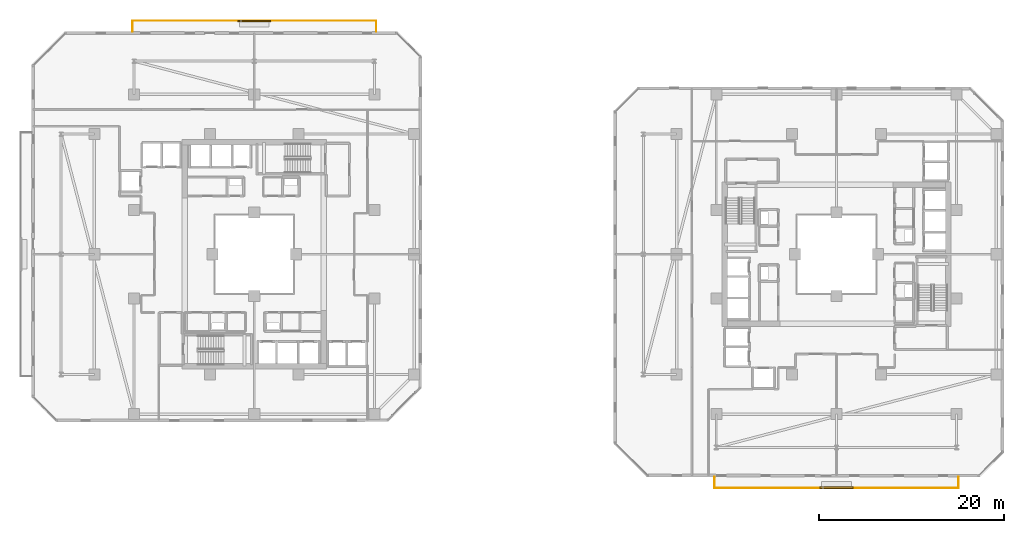
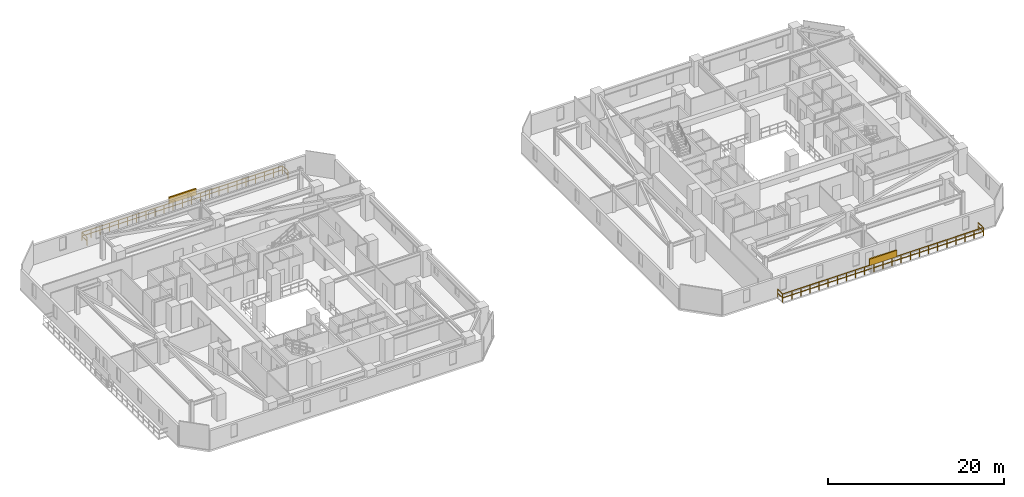
# One storey, part 32 of 33: 2 railings, 2 shading devices.
"""IFC4 building model written with IfcOpenShell, lengths in metres."""

from ifc_helpers import new_model, si_unit, direction, frame, origin, origin_2d, place, context, subcontext, project, spatial, rectangle, extrude, material, type_object, element, save


model = new_model("IFC4")

# Units and contexts
model_context = context("Model", 3, precision=1e-05, world=origin(), true_north=direction((0.0, 1.0)))
body_context = subcontext(model_context, "Body", "Model", "MODEL_VIEW")
ifc_project = project(units=[si_unit("LENGTHUNIT", "METRE"), si_unit("AREAUNIT", "SQUARE_METRE"), si_unit("VOLUMEUNIT", "CUBIC_METRE"), si_unit("PLANEANGLEUNIT", "RADIAN"), si_unit("MASSUNIT", "GRAM", prefix="KILO")], contexts=[model_context])

# Site, building, storey
site_placement = place(None, origin())
site = spatial("IfcSite", under=ifc_project, at=site_placement, CompositionType="ELEMENT")
building_placement = place(site_placement, origin())
building = spatial("IfcBuilding", under=site, at=building_placement, Name="Thornwick Lancets Civic Towers", CompositionType="ELEMENT")
storey_placement = place(building_placement, frame((0.0, 0.0, 105.300048828125)))
storey = spatial("IfcBuildingStorey", under=building, at=storey_placement, Name="L27", CompositionType="ELEMENT", Elevation=105.300048828125)

# Railings
ifc_material_1 = material(Name="Terracotta-capped laminated glass balustrade S355", Category="masonry")
railing_type = type_object("IfcRailingType", Name="RAIL_TERR_GUARD", PredefinedType="GUARDRAIL", material=ifc_material_1)
railing_1_placement = place(storey_placement, frame((12.300048828125, 51.10009765625, 0.0)))
element("IfcRailing", 1, at=railing_1_placement, inside=storey, type_object=railing_type, Name="L27 Tower A Balcony Guard N", PredefinedType="GUARDRAIL", context=body_context, shape_type="SweptSolid", body=[
    extrude(rectangle(XDim=0.048095703125, YDim=0.048095703125, at=origin_2d()), frame((0.0, 0.0, 1.1259765625), z_axis=(0.0, 1.0, 0.0), x_axis=(-1.0, 0.0, 0.0)), (0.0, 0.0, 1.0), 1.138671875),
    extrude(rectangle(XDim=0.0419921875, YDim=0.0419921875, at=origin_2d()), frame((0.0, 0.03759765625, 0.597900390625), z_axis=(0.0, 1.0, 0.0), x_axis=(-1.0, 0.0, 0.0)), (0.0, 0.0, 1.0), 1.094970703125),
    extrude(rectangle(XDim=0.048095703125, YDim=0.048095703125, at=origin_2d()), frame((0.03125, 1.169921875, 1.1259765625), z_axis=(1.0, 0.0, 0.0), x_axis=(0.0, 1.0, 0.0)), (0.0, 0.0, 1.0), 26.33740234375),
    extrude(rectangle(XDim=0.0419921875, YDim=0.0419921875, at=origin_2d()), frame((0.03759765625, 1.169921875, 0.597900390625), z_axis=(1.0, 0.0, 0.0), x_axis=(0.0, 1.0, 0.0)), (0.0, 0.0, 1.0), 1.125),
    extrude(rectangle(XDim=0.0419921875, YDim=0.0419921875, at=origin_2d()), frame((1.237548828125, 1.169921875, 0.597900390625), z_axis=(1.0, 0.0, 0.0), x_axis=(0.0, 1.0, 0.0)), (0.0, 0.0, 1.0), 1.125),
    extrude(rectangle(XDim=0.0419921875, YDim=0.0419921875, at=origin_2d()), frame((2.4375, 1.169921875, 0.597900390625), z_axis=(1.0, 0.0, 0.0), x_axis=(0.0, 1.0, 0.0)), (0.0, 0.0, 1.0), 1.125),
    extrude(rectangle(XDim=0.0419921875, YDim=0.0419921875, at=origin_2d()), frame((3.637451171875, 1.169921875, 0.597900390625), z_axis=(1.0, 0.0, 0.0), x_axis=(0.0, 1.0, 0.0)), (0.0, 0.0, 1.0), 1.125),
    extrude(rectangle(XDim=0.0419921875, YDim=0.0419921875, at=origin_2d()), frame((4.83740234375, 1.169921875, 0.597900390625), z_axis=(1.0, 0.0, 0.0), x_axis=(0.0, 1.0, 0.0)), (0.0, 0.0, 1.0), 1.125),
    extrude(rectangle(XDim=0.0419921875, YDim=0.0419921875, at=origin_2d()), frame((6.037353515625, 1.169921875, 0.597900390625), z_axis=(1.0, 0.0, 0.0), x_axis=(0.0, 1.0, 0.0)), (0.0, 0.0, 1.0), 1.125),
    extrude(rectangle(XDim=0.0419921875, YDim=0.0419921875, at=origin_2d()), frame((7.237548828125, 1.169921875, 0.597900390625), z_axis=(1.0, 0.0, 0.0), x_axis=(0.0, 1.0, 0.0)), (0.0, 0.0, 1.0), 1.125),
    extrude(rectangle(XDim=0.0419921875, YDim=0.0419921875, at=origin_2d()), frame((8.4375, 1.169921875, 0.597900390625), z_axis=(1.0, 0.0, 0.0), x_axis=(0.0, 1.0, 0.0)), (0.0, 0.0, 1.0), 1.125),
    extrude(rectangle(XDim=0.0419921875, YDim=0.0419921875, at=origin_2d()), frame((9.637451171875, 1.169921875, 0.597900390625), z_axis=(1.0, 0.0, 0.0), x_axis=(0.0, 1.0, 0.0)), (0.0, 0.0, 1.0), 1.125),
    extrude(rectangle(XDim=0.0419921875, YDim=0.0419921875, at=origin_2d()), frame((10.83740234375, 1.169921875, 0.597900390625), z_axis=(1.0, 0.0, 0.0), x_axis=(0.0, 1.0, 0.0)), (0.0, 0.0, 1.0), 1.125),
    extrude(rectangle(XDim=0.0419921875, YDim=0.0419921875, at=origin_2d()), frame((12.037353515625, 1.169921875, 0.597900390625), z_axis=(1.0, 0.0, 0.0), x_axis=(0.0, 1.0, 0.0)), (0.0, 0.0, 1.0), 1.125),
    extrude(rectangle(XDim=0.0419921875, YDim=0.0419921875, at=origin_2d()), frame((13.237548828125, 1.169921875, 0.597900390625), z_axis=(1.0, 0.0, 0.0), x_axis=(0.0, 1.0, 0.0)), (0.0, 0.0, 1.0), 1.125),
    extrude(rectangle(XDim=0.0419921875, YDim=0.0419921875, at=origin_2d()), frame((14.4375, 1.169921875, 0.597900390625), z_axis=(1.0, 0.0, 0.0), x_axis=(0.0, 1.0, 0.0)), (0.0, 0.0, 1.0), 1.125),
    extrude(rectangle(XDim=0.0419921875, YDim=0.0419921875, at=origin_2d()), frame((15.637451171875, 1.169921875, 0.597900390625), z_axis=(1.0, 0.0, 0.0), x_axis=(0.0, 1.0, 0.0)), (0.0, 0.0, 1.0), 1.125),
    extrude(rectangle(XDim=0.0419921875, YDim=0.0419921875, at=origin_2d()), frame((16.83740234375, 1.169921875, 0.597900390625), z_axis=(1.0, 0.0, 0.0), x_axis=(0.0, 1.0, 0.0)), (0.0, 0.0, 1.0), 1.125),
    extrude(rectangle(XDim=0.0419921875, YDim=0.0419921875, at=origin_2d()), frame((18.037353515625, 1.169921875, 0.597900390625), z_axis=(1.0, 0.0, 0.0), x_axis=(0.0, 1.0, 0.0)), (0.0, 0.0, 1.0), 1.125),
    extrude(rectangle(XDim=0.0419921875, YDim=0.0419921875, at=origin_2d()), frame((19.2373046875, 1.169921875, 0.597900390625), z_axis=(1.0, 0.0, 0.0), x_axis=(0.0, 1.0, 0.0)), (0.0, 0.0, 1.0), 1.125),
    extrude(rectangle(XDim=0.0419921875, YDim=0.0419921875, at=origin_2d()), frame((20.4375, 1.169921875, 0.597900390625), z_axis=(1.0, 0.0, 0.0), x_axis=(0.0, 1.0, 0.0)), (0.0, 0.0, 1.0), 1.125),
    extrude(rectangle(XDim=0.0419921875, YDim=0.0419921875, at=origin_2d()), frame((21.637451171875, 1.169921875, 0.597900390625), z_axis=(1.0, 0.0, 0.0), x_axis=(0.0, 1.0, 0.0)), (0.0, 0.0, 1.0), 1.125),
    extrude(rectangle(XDim=0.0419921875, YDim=0.0419921875, at=origin_2d()), frame((22.83740234375, 1.169921875, 0.597900390625), z_axis=(1.0, 0.0, 0.0), x_axis=(0.0, 1.0, 0.0)), (0.0, 0.0, 1.0), 1.125),
    extrude(rectangle(XDim=0.0419921875, YDim=0.0419921875, at=origin_2d()), frame((24.037353515625, 1.169921875, 0.597900390625), z_axis=(1.0, 0.0, 0.0), x_axis=(0.0, 1.0, 0.0)), (0.0, 0.0, 1.0), 1.125),
    extrude(rectangle(XDim=0.0419921875, YDim=0.0419921875, at=origin_2d()), frame((25.2373046875, 1.169921875, 0.597900390625), z_axis=(1.0, 0.0, 0.0), x_axis=(0.0, 1.0, 0.0)), (0.0, 0.0, 1.0), 1.125),
    extrude(rectangle(XDim=0.048095703125, YDim=0.048095703125, at=origin_2d()), frame((26.39990234375, 1.138671875, 1.1259765625), z_axis=(0.0, -1.0, 0.0), x_axis=(1.0, 0.0, 0.0)), (0.0, 0.0, 1.0), 1.138671875),
    extrude(rectangle(XDim=0.0419921875, YDim=0.0419921875, at=origin_2d()), frame((26.39990234375, 1.13232421875, 0.597900390625), z_axis=(0.0, -1.0, 0.0), x_axis=(1.0, 0.0, 0.0)), (0.0, 0.0, 1.0), 1.094970703125),
    extrude(rectangle(XDim=0.0419921875, YDim=0.0419921875, at=origin_2d()), origin(), (0.0, 0.0, 1.0), 1.095703125),
    extrude(rectangle(XDim=0.0419921875, YDim=0.0419921875, at=origin_2d()), frame((0.0, 1.169921875, 0.0)), (0.0, 0.0, 1.0), 1.095703125),
    extrude(rectangle(XDim=0.0419921875, YDim=0.0419921875, at=origin_2d()), frame((1.199951171875, 1.169921875, 0.0)), (0.0, 0.0, 1.0), 1.095703125),
    extrude(rectangle(XDim=0.0419921875, YDim=0.0419921875, at=origin_2d()), frame((2.39990234375, 1.169921875, 0.0)), (0.0, 0.0, 1.0), 1.095703125),
    extrude(rectangle(XDim=0.0419921875, YDim=0.0419921875, at=origin_2d()), frame((3.60009765625, 1.169921875, 0.0)), (0.0, 0.0, 1.0), 1.095703125),
    extrude(rectangle(XDim=0.0419921875, YDim=0.0419921875, at=origin_2d()), frame((4.800048828125, 1.169921875, 0.0)), (0.0, 0.0, 1.0), 1.095703125),
    extrude(rectangle(XDim=0.0419921875, YDim=0.0419921875, at=origin_2d()), frame((6.0, 1.169921875, 0.0)), (0.0, 0.0, 1.0), 1.095703125),
    extrude(rectangle(XDim=0.0419921875, YDim=0.0419921875, at=origin_2d()), frame((7.199951171875, 1.169921875, 0.0)), (0.0, 0.0, 1.0), 1.095703125),
    extrude(rectangle(XDim=0.0419921875, YDim=0.0419921875, at=origin_2d()), frame((8.39990234375, 1.169921875, 0.0)), (0.0, 0.0, 1.0), 1.095703125),
    extrude(rectangle(XDim=0.0419921875, YDim=0.0419921875, at=origin_2d()), frame((9.599853515625, 1.169921875, 0.0)), (0.0, 0.0, 1.0), 1.095703125),
    extrude(rectangle(XDim=0.0419921875, YDim=0.0419921875, at=origin_2d()), frame((10.800048828125, 1.169921875, 0.0)), (0.0, 0.0, 1.0), 1.095703125),
    extrude(rectangle(XDim=0.0419921875, YDim=0.0419921875, at=origin_2d()), frame((12.0, 1.169921875, 0.0)), (0.0, 0.0, 1.0), 1.095703125),
    extrude(rectangle(XDim=0.0419921875, YDim=0.0419921875, at=origin_2d()), frame((13.199951171875, 1.169921875, 0.0)), (0.0, 0.0, 1.0), 1.095703125),
    extrude(rectangle(XDim=0.0419921875, YDim=0.0419921875, at=origin_2d()), frame((14.39990234375, 1.169921875, 0.0)), (0.0, 0.0, 1.0), 1.095703125),
    extrude(rectangle(XDim=0.0419921875, YDim=0.0419921875, at=origin_2d()), frame((15.599853515625, 1.169921875, 0.0)), (0.0, 0.0, 1.0), 1.095703125),
    extrude(rectangle(XDim=0.0419921875, YDim=0.0419921875, at=origin_2d()), frame((16.800048828125, 1.169921875, 0.0)), (0.0, 0.0, 1.0), 1.095703125),
    extrude(rectangle(XDim=0.0419921875, YDim=0.0419921875, at=origin_2d()), frame((18.0, 1.169921875, 0.0)), (0.0, 0.0, 1.0), 1.095703125),
    extrude(rectangle(XDim=0.0419921875, YDim=0.0419921875, at=origin_2d()), frame((19.199951171875, 1.169921875, 0.0)), (0.0, 0.0, 1.0), 1.095703125),
    extrude(rectangle(XDim=0.0419921875, YDim=0.0419921875, at=origin_2d()), frame((20.39990234375, 1.169921875, 0.0)), (0.0, 0.0, 1.0), 1.095703125),
    extrude(rectangle(XDim=0.0419921875, YDim=0.0419921875, at=origin_2d()), frame((21.599853515625, 1.169921875, 0.0)), (0.0, 0.0, 1.0), 1.095703125),
    extrude(rectangle(XDim=0.0419921875, YDim=0.0419921875, at=origin_2d()), frame((22.7998046875, 1.169921875, 0.0)), (0.0, 0.0, 1.0), 1.095703125),
    extrude(rectangle(XDim=0.0419921875, YDim=0.0419921875, at=origin_2d()), frame((24.0, 1.169921875, 0.0)), (0.0, 0.0, 1.0), 1.095703125),
    extrude(rectangle(XDim=0.0419921875, YDim=0.0419921875, at=origin_2d()), frame((25.199951171875, 1.169921875, 0.0)), (0.0, 0.0, 1.0), 1.095703125),
    extrude(rectangle(XDim=0.0419921875, YDim=0.0419921875, at=origin_2d()), frame((26.39990234375, 1.169921875, 0.0)), (0.0, 0.0, 1.0), 1.095703125),
    extrude(rectangle(XDim=0.0419921875, YDim=0.0419921875, at=origin_2d()), frame((26.39990234375, 0.0, 0.0)), (0.0, 0.0, 1.0), 1.095703125),
])
railing_2_placement = place(storey_placement, frame((75.300048828125, 2.89990234375, 0.0)))
element("IfcRailing", 2, at=railing_2_placement, inside=storey, type_object=railing_type, Name="L27 Tower B Balcony Guard S", PredefinedType="GUARDRAIL", context=body_context, shape_type="SweptSolid", body=[
    extrude(rectangle(XDim=0.048095703125, YDim=0.048095703125, at=origin_2d()), frame((0.0, 0.0, 1.1259765625), z_axis=(0.0, -1.0, 0.0), x_axis=(1.0, 0.0, 0.0)), (0.0, 0.0, 1.0), 1.138671875),
    extrude(rectangle(XDim=0.0419921875, YDim=0.0419921875, at=origin_2d()), frame((0.0, -0.03759765625, 0.597900390625), z_axis=(0.0, -1.0, 0.0), x_axis=(1.0, 0.0, 0.0)), (0.0, 0.0, 1.0), 1.094970703125),
    extrude(rectangle(XDim=0.048095703125, YDim=0.048095703125, at=origin_2d()), frame((0.03125, -1.169921875, 1.1259765625), z_axis=(1.0, 0.0, 0.0), x_axis=(0.0, 1.0, 0.0)), (0.0, 0.0, 1.0), 26.33740234375),
    extrude(rectangle(XDim=0.0419921875, YDim=0.0419921875, at=origin_2d()), frame((0.03759765625, -1.169921875, 0.597900390625), z_axis=(1.0, 0.0, 0.0), x_axis=(0.0, 1.0, 0.0)), (0.0, 0.0, 1.0), 1.125),
    extrude(rectangle(XDim=0.0419921875, YDim=0.0419921875, at=origin_2d()), frame((1.237548828125, -1.169921875, 0.597900390625), z_axis=(1.0, 0.0, 0.0), x_axis=(0.0, 1.0, 0.0)), (0.0, 0.0, 1.0), 1.125),
    extrude(rectangle(XDim=0.0419921875, YDim=0.0419921875, at=origin_2d()), frame((2.4375, -1.169921875, 0.597900390625), z_axis=(1.0, 0.0, 0.0), x_axis=(0.0, 1.0, 0.0)), (0.0, 0.0, 1.0), 1.125),
    extrude(rectangle(XDim=0.0419921875, YDim=0.0419921875, at=origin_2d()), frame((3.637451171875, -1.169921875, 0.597900390625), z_axis=(1.0, 0.0, 0.0), x_axis=(0.0, 1.0, 0.0)), (0.0, 0.0, 1.0), 1.125),
    extrude(rectangle(XDim=0.0419921875, YDim=0.0419921875, at=origin_2d()), frame((4.83740234375, -1.169921875, 0.597900390625), z_axis=(1.0, 0.0, 0.0), x_axis=(0.0, 1.0, 0.0)), (0.0, 0.0, 1.0), 1.125),
    extrude(rectangle(XDim=0.0419921875, YDim=0.0419921875, at=origin_2d()), frame((6.037353515625, -1.169921875, 0.597900390625), z_axis=(1.0, 0.0, 0.0), x_axis=(0.0, 1.0, 0.0)), (0.0, 0.0, 1.0), 1.125),
    extrude(rectangle(XDim=0.0419921875, YDim=0.0419921875, at=origin_2d()), frame((7.237548828125, -1.169921875, 0.597900390625), z_axis=(1.0, 0.0, 0.0), x_axis=(0.0, 1.0, 0.0)), (0.0, 0.0, 1.0), 1.125),
    extrude(rectangle(XDim=0.0419921875, YDim=0.0419921875, at=origin_2d()), frame((8.4375, -1.169921875, 0.597900390625), z_axis=(1.0, 0.0, 0.0), x_axis=(0.0, 1.0, 0.0)), (0.0, 0.0, 1.0), 1.125),
    extrude(rectangle(XDim=0.0419921875, YDim=0.0419921875, at=origin_2d()), frame((9.637451171875, -1.169921875, 0.597900390625), z_axis=(1.0, 0.0, 0.0), x_axis=(0.0, 1.0, 0.0)), (0.0, 0.0, 1.0), 1.125),
    extrude(rectangle(XDim=0.0419921875, YDim=0.0419921875, at=origin_2d()), frame((10.83740234375, -1.169921875, 0.597900390625), z_axis=(1.0, 0.0, 0.0), x_axis=(0.0, 1.0, 0.0)), (0.0, 0.0, 1.0), 1.125),
    extrude(rectangle(XDim=0.0419921875, YDim=0.0419921875, at=origin_2d()), frame((12.037353515625, -1.169921875, 0.597900390625), z_axis=(1.0, 0.0, 0.0), x_axis=(0.0, 1.0, 0.0)), (0.0, 0.0, 1.0), 1.125),
    extrude(rectangle(XDim=0.0419921875, YDim=0.0419921875, at=origin_2d()), frame((13.237548828125, -1.169921875, 0.597900390625), z_axis=(1.0, 0.0, 0.0), x_axis=(0.0, 1.0, 0.0)), (0.0, 0.0, 1.0), 1.125),
    extrude(rectangle(XDim=0.0419921875, YDim=0.0419921875, at=origin_2d()), frame((14.4375, -1.169921875, 0.597900390625), z_axis=(1.0, 0.0, 0.0), x_axis=(0.0, 1.0, 0.0)), (0.0, 0.0, 1.0), 1.125),
    extrude(rectangle(XDim=0.0419921875, YDim=0.0419921875, at=origin_2d()), frame((15.637451171875, -1.169921875, 0.597900390625), z_axis=(1.0, 0.0, 0.0), x_axis=(0.0, 1.0, 0.0)), (0.0, 0.0, 1.0), 1.125),
    extrude(rectangle(XDim=0.0419921875, YDim=0.0419921875, at=origin_2d()), frame((16.83740234375, -1.169921875, 0.597900390625), z_axis=(1.0, 0.0, 0.0), x_axis=(0.0, 1.0, 0.0)), (0.0, 0.0, 1.0), 1.125),
    extrude(rectangle(XDim=0.0419921875, YDim=0.0419921875, at=origin_2d()), frame((18.037353515625, -1.169921875, 0.597900390625), z_axis=(1.0, 0.0, 0.0), x_axis=(0.0, 1.0, 0.0)), (0.0, 0.0, 1.0), 1.125),
    extrude(rectangle(XDim=0.0419921875, YDim=0.0419921875, at=origin_2d()), frame((19.2373046875, -1.169921875, 0.597900390625), z_axis=(1.0, 0.0, 0.0), x_axis=(0.0, 1.0, 0.0)), (0.0, 0.0, 1.0), 1.125),
    extrude(rectangle(XDim=0.0419921875, YDim=0.0419921875, at=origin_2d()), frame((20.4375, -1.169921875, 0.597900390625), z_axis=(1.0, 0.0, 0.0), x_axis=(0.0, 1.0, 0.0)), (0.0, 0.0, 1.0), 1.125),
    extrude(rectangle(XDim=0.0419921875, YDim=0.0419921875, at=origin_2d()), frame((21.637451171875, -1.169921875, 0.597900390625), z_axis=(1.0, 0.0, 0.0), x_axis=(0.0, 1.0, 0.0)), (0.0, 0.0, 1.0), 1.125),
    extrude(rectangle(XDim=0.0419921875, YDim=0.0419921875, at=origin_2d()), frame((22.83740234375, -1.169921875, 0.597900390625), z_axis=(1.0, 0.0, 0.0), x_axis=(0.0, 1.0, 0.0)), (0.0, 0.0, 1.0), 1.125),
    extrude(rectangle(XDim=0.0419921875, YDim=0.0419921875, at=origin_2d()), frame((24.037353515625, -1.169921875, 0.597900390625), z_axis=(1.0, 0.0, 0.0), x_axis=(0.0, 1.0, 0.0)), (0.0, 0.0, 1.0), 1.125),
    extrude(rectangle(XDim=0.0419921875, YDim=0.0419921875, at=origin_2d()), frame((25.2373046875, -1.169921875, 0.597900390625), z_axis=(1.0, 0.0, 0.0), x_axis=(0.0, 1.0, 0.0)), (0.0, 0.0, 1.0), 1.125),
    extrude(rectangle(XDim=0.048095703125, YDim=0.048095703125, at=origin_2d()), frame((26.39990234375, -1.138671875, 1.1259765625), z_axis=(0.0, 1.0, 0.0), x_axis=(-1.0, 0.0, 0.0)), (0.0, 0.0, 1.0), 1.138671875),
    extrude(rectangle(XDim=0.0419921875, YDim=0.0419921875, at=origin_2d()), frame((26.39990234375, -1.13232421875, 0.597900390625), z_axis=(0.0, 1.0, 0.0), x_axis=(-1.0, 0.0, 0.0)), (0.0, 0.0, 1.0), 1.094970703125),
    extrude(rectangle(XDim=0.0419921875, YDim=0.0419921875, at=origin_2d()), origin(), (0.0, 0.0, 1.0), 1.095703125),
    extrude(rectangle(XDim=0.0419921875, YDim=0.0419921875, at=origin_2d()), frame((0.0, -1.169921875, 0.0)), (0.0, 0.0, 1.0), 1.095703125),
    extrude(rectangle(XDim=0.0419921875, YDim=0.0419921875, at=origin_2d()), frame((1.199951171875, -1.169921875, 0.0)), (0.0, 0.0, 1.0), 1.095703125),
    extrude(rectangle(XDim=0.0419921875, YDim=0.0419921875, at=origin_2d()), frame((2.39990234375, -1.169921875, 0.0)), (0.0, 0.0, 1.0), 1.095703125),
    extrude(rectangle(XDim=0.0419921875, YDim=0.0419921875, at=origin_2d()), frame((3.60009765625, -1.169921875, 0.0)), (0.0, 0.0, 1.0), 1.095703125),
    extrude(rectangle(XDim=0.0419921875, YDim=0.0419921875, at=origin_2d()), frame((4.800048828125, -1.169921875, 0.0)), (0.0, 0.0, 1.0), 1.095703125),
    extrude(rectangle(XDim=0.0419921875, YDim=0.0419921875, at=origin_2d()), frame((6.0, -1.169921875, 0.0)), (0.0, 0.0, 1.0), 1.095703125),
    extrude(rectangle(XDim=0.0419921875, YDim=0.0419921875, at=origin_2d()), frame((7.199951171875, -1.169921875, 0.0)), (0.0, 0.0, 1.0), 1.095703125),
    extrude(rectangle(XDim=0.0419921875, YDim=0.0419921875, at=origin_2d()), frame((8.39990234375, -1.169921875, 0.0)), (0.0, 0.0, 1.0), 1.095703125),
    extrude(rectangle(XDim=0.0419921875, YDim=0.0419921875, at=origin_2d()), frame((9.599853515625, -1.169921875, 0.0)), (0.0, 0.0, 1.0), 1.095703125),
    extrude(rectangle(XDim=0.0419921875, YDim=0.0419921875, at=origin_2d()), frame((10.800048828125, -1.169921875, 0.0)), (0.0, 0.0, 1.0), 1.095703125),
    extrude(rectangle(XDim=0.0419921875, YDim=0.0419921875, at=origin_2d()), frame((12.0, -1.169921875, 0.0)), (0.0, 0.0, 1.0), 1.095703125),
    extrude(rectangle(XDim=0.0419921875, YDim=0.0419921875, at=origin_2d()), frame((13.199951171875, -1.169921875, 0.0)), (0.0, 0.0, 1.0), 1.095703125),
    extrude(rectangle(XDim=0.0419921875, YDim=0.0419921875, at=origin_2d()), frame((14.39990234375, -1.169921875, 0.0)), (0.0, 0.0, 1.0), 1.095703125),
    extrude(rectangle(XDim=0.0419921875, YDim=0.0419921875, at=origin_2d()), frame((15.599853515625, -1.169921875, 0.0)), (0.0, 0.0, 1.0), 1.095703125),
    extrude(rectangle(XDim=0.0419921875, YDim=0.0419921875, at=origin_2d()), frame((16.800048828125, -1.169921875, 0.0)), (0.0, 0.0, 1.0), 1.095703125),
    extrude(rectangle(XDim=0.0419921875, YDim=0.0419921875, at=origin_2d()), frame((18.0, -1.169921875, 0.0)), (0.0, 0.0, 1.0), 1.095703125),
    extrude(rectangle(XDim=0.0419921875, YDim=0.0419921875, at=origin_2d()), frame((19.199951171875, -1.169921875, 0.0)), (0.0, 0.0, 1.0), 1.095703125),
    extrude(rectangle(XDim=0.0419921875, YDim=0.0419921875, at=origin_2d()), frame((20.39990234375, -1.169921875, 0.0)), (0.0, 0.0, 1.0), 1.095703125),
    extrude(rectangle(XDim=0.0419921875, YDim=0.0419921875, at=origin_2d()), frame((21.599853515625, -1.169921875, 0.0)), (0.0, 0.0, 1.0), 1.095703125),
    extrude(rectangle(XDim=0.0419921875, YDim=0.0419921875, at=origin_2d()), frame((22.7998046875, -1.169921875, 0.0)), (0.0, 0.0, 1.0), 1.095703125),
    extrude(rectangle(XDim=0.0419921875, YDim=0.0419921875, at=origin_2d()), frame((24.0, -1.169921875, 0.0)), (0.0, 0.0, 1.0), 1.095703125),
    extrude(rectangle(XDim=0.0419921875, YDim=0.0419921875, at=origin_2d()), frame((25.199951171875, -1.169921875, 0.0)), (0.0, 0.0, 1.0), 1.095703125),
    extrude(rectangle(XDim=0.0419921875, YDim=0.0419921875, at=origin_2d()), frame((26.39990234375, -1.169921875, 0.0)), (0.0, 0.0, 1.0), 1.095703125),
    extrude(rectangle(XDim=0.0419921875, YDim=0.0419921875, at=origin_2d()), frame((26.39990234375, 0.0, 0.0)), (0.0, 0.0, 1.0), 1.095703125),
])

# Shading devices
ifc_material_2 = material(Name="Extruded terracotta baguette solar screen", Category="masonry")
shading_device_type = type_object("IfcShadingDeviceType", Name="SHADE_BAGUETTE", PredefinedType="JALOUSIE", material=ifc_material_2)
for number, where, z_axis, x_axis, name in (
    (3, (25.5, 52.260009765625, 1.1201171875), (0.0, 0.0, 1.0), (1.0, 0.0, 0.0), "L27 Tower A Terracotta Baguette Screen N"),
    (4, (88.5, 1.739990234375, 1.1201171875), (0.0, 0.0, 1.0), (1.0, 0.0, 0.0), "L27 Tower B Terracotta Baguette Screen S"),
):
    element("IfcShadingDevice", number, at=place(storey_placement, frame(where, z_axis=z_axis, x_axis=x_axis)), inside=storey, type_object=shading_device_type, Name=name, PredefinedType="JALOUSIE", context=body_context, shape_type="SweptSolid", body=[
        extrude(rectangle(XDim=3.60009765625, YDim=0.179931640625, at=origin_2d()), origin(), (0.0, 0.0, 1.0), 0.89990234375),
    ])

save(model, "model.ifc")
